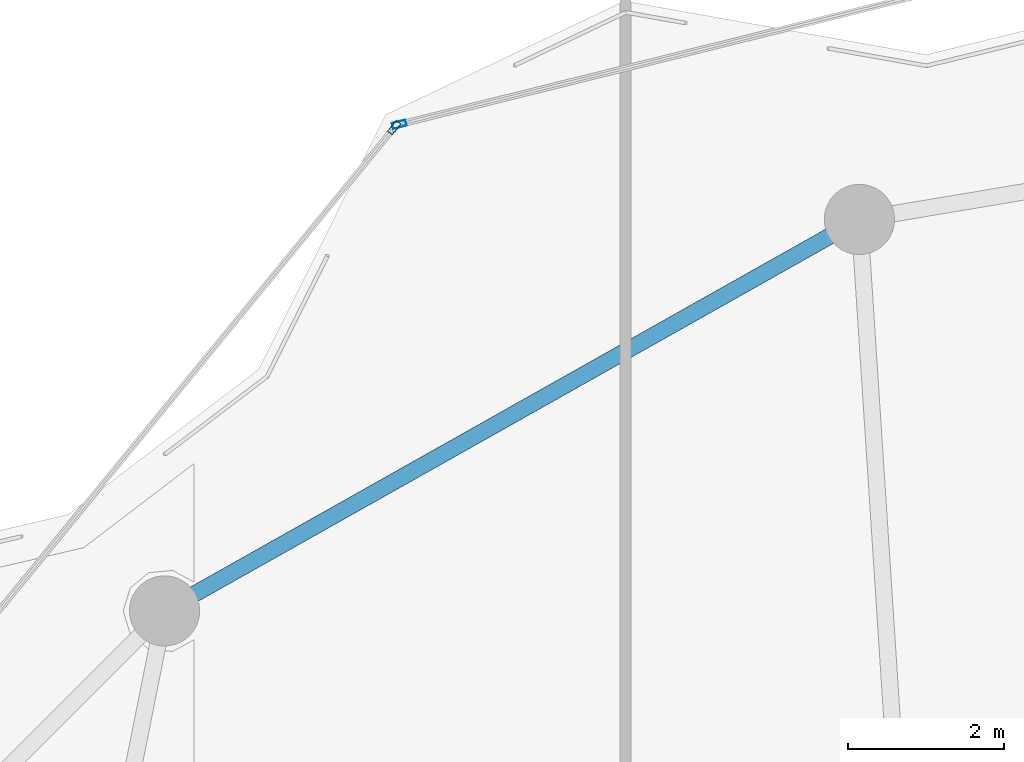
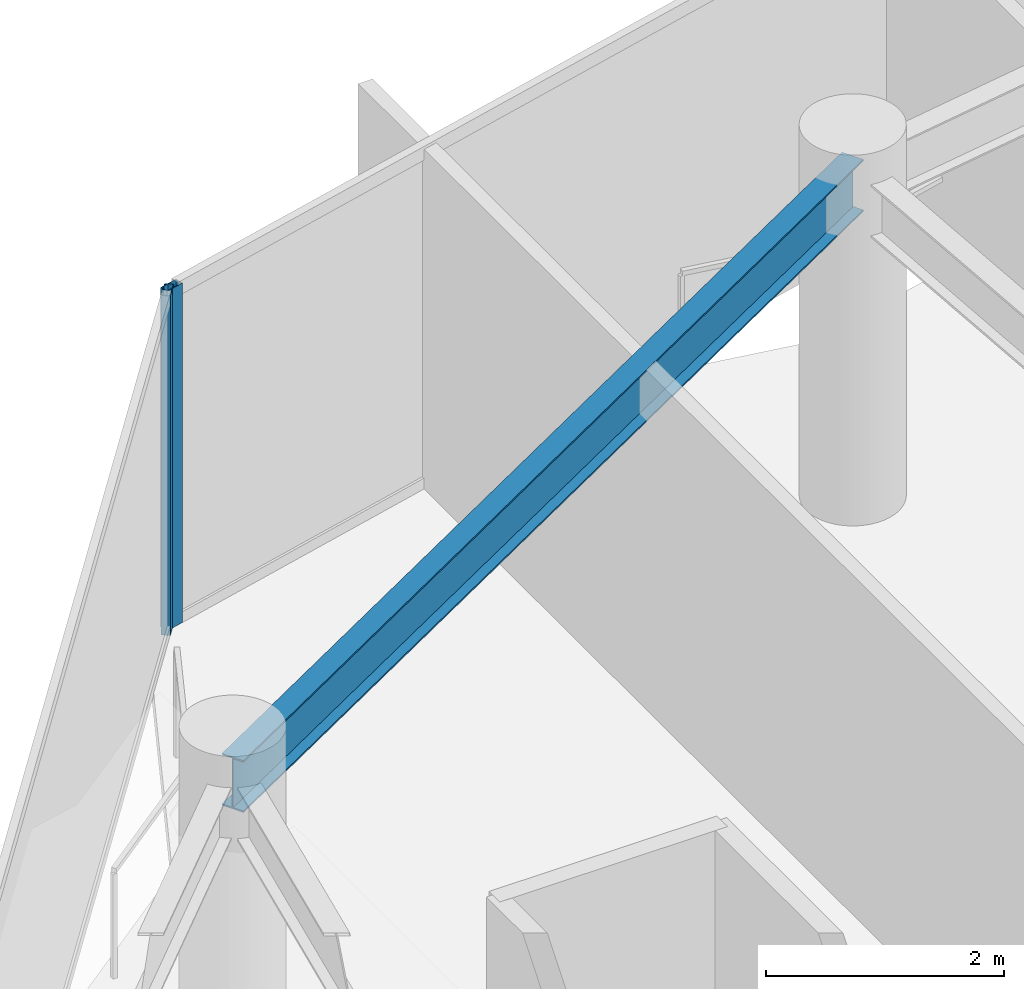
# One storey, part 19 of 29: 2 members, 1 beam, 2 elements without a shape of their own.
"""IFC4 building model written with IfcOpenShell, lengths in metres."""

from ifc_helpers import new_model, si_unit, direction, frame, origin, origin_2d, place, context, subcontext, project, spatial, hollow_rectangle, i_section, extrude, material, layer, layer_set, material_profile, profile_set, type_object, element, aggregate, save


model = new_model("IFC4")

# Units and contexts
model_context = context("Model", 3, precision=1e-05, world=origin(), true_north=direction((0.0, 1.0)))
body_context = subcontext(model_context, "Body", "Model", "MODEL_VIEW")
ifc_project = project(units=[si_unit("LENGTHUNIT", "METRE"), si_unit("AREAUNIT", "SQUARE_METRE"), si_unit("VOLUMEUNIT", "CUBIC_METRE"), si_unit("PLANEANGLEUNIT", "RADIAN"), si_unit("MASSUNIT", "GRAM", prefix="KILO")], contexts=[model_context])

# Site, building, storey
site_placement = place(None, origin())
site = spatial("IfcSite", under=ifc_project, at=site_placement, CompositionType="ELEMENT")
building_placement = place(site_placement, origin())
building = spatial("IfcBuilding", under=site, at=building_placement, Name="Kazevale Care Tower and Concert Hall", CompositionType="ELEMENT")
storey_placement = place(building_placement, frame((0.0, 0.0, 289.0)))
storey = spatial("IfcBuildingStorey", under=building, at=storey_placement, Name="L76", CompositionType="ELEMENT", Elevation=289.0)

# Curtain wall, member
ifc_material_1 = material(Name="Aluminium 6063-T6 and Low-E Glass", Category="aluminium")
ifc_layer_1 = layer(ifc_material_1, 0.179931640625)
ifc_layer_set_1 = layer_set([ifc_layer_1], Name="Aluminium 6063-T6 and Low-E Glass")
curtain_wall_type_1 = type_object("IfcCurtainWallType", Name="Convex Checkerboard Finned Curtain Wall CW-2", PredefinedType="NOTDEFINED", material=ifc_layer_set_1)
curtain_wall_1_placement = place(storey_placement, origin())
curtain_wall_1 = element("IfcCurtainWall", 1, at=curtain_wall_1_placement, inside=storey, type_object=curtain_wall_type_1, Name="cw:L76:f14", PredefinedType="NOTDEFINED")
ifc_material_2 = material(Name="Aluminium 6063-T6", Category="aluminium")
ifc_material_profile_1 = material_profile(ifc_material_2, hollow_rectangle(XDim=0.080078125, YDim=0.179931640625, WallThickness=0.0048828125, at=origin_2d()), Name="ALU80x180x5")
ifc_profile_set_1 = profile_set([ifc_material_profile_1], Name="Aluminium 6063-T6")
member_type_1 = type_object("IfcMemberType", Name="CW-2 Mullion ALU80x180x5", PredefinedType="MULLION", material=ifc_profile_set_1)
member_1_placement = place(storey_placement, frame((28.53564453125, 60.568115234375, 0.0), z_axis=(0.0, 0.0, 1.0), x_axis=(-0.773802882676, 0.63342647463, 0.0)))
member_1 = element("IfcMember", 2, at=member_1_placement, type_object=member_type_1, Name="CW-2 mullion 2", PredefinedType="MULLION", context=body_context, shape_type="SweptSolid", body=[
    extrude(hollow_rectangle(XDim=0.080078125, YDim=0.179931640625, WallThickness=0.0048828125, at=origin_2d()), origin(), (0.0, 0.0, 1.0), 3.47998046875),
])
aggregate(curtain_wall_1, [member_1])

ifc_layer_2 = layer(ifc_material_1, 0.179931640625)
ifc_layer_set_2 = layer_set([ifc_layer_2], Name="Aluminium 6063-T6 and Low-E Glass")
curtain_wall_type_2 = type_object("IfcCurtainWallType", Name="Waist & Upper Residential Curtain Wall CW-4", PredefinedType="NOTDEFINED", material=ifc_layer_set_2)
curtain_wall_2_placement = place(storey_placement, origin())
curtain_wall_2 = element("IfcCurtainWall", 3, at=curtain_wall_2_placement, inside=storey, type_object=curtain_wall_type_2, Name="cw:L76:f15", PredefinedType="NOTDEFINED")
ifc_material_profile_2 = material_profile(ifc_material_2, hollow_rectangle(XDim=0.080078125, YDim=0.179931640625, WallThickness=0.0048828125, at=origin_2d()), Name="ALU80x180x5")
ifc_profile_set_2 = profile_set([ifc_material_profile_2], Name="Aluminium 6063-T6")
member_type_2 = type_object("IfcMemberType", Name="CW-4 Mullion ALU80x180x5", PredefinedType="MULLION", material=ifc_profile_set_2)
member_2_placement = place(storey_placement, frame((28.599853515625, 60.608642578125, 0.0), z_axis=(0.0, 0.0, 1.0), x_axis=(-0.240891158711, 0.970552136495, 0.0)))
member_2 = element("IfcMember", 4, at=member_2_placement, type_object=member_type_2, Name="CW-4 mullion 1", PredefinedType="MULLION", context=body_context, shape_type="SweptSolid", body=[
    extrude(hollow_rectangle(XDim=0.080078125, YDim=0.179931640625, WallThickness=0.0048828125, at=origin_2d()), origin(), (0.0, 0.0, 1.0), 3.47998046875),
])
aggregate(curtain_wall_2, [member_2])

# Beam
ifc_material_3 = material(Name="Steel ASTM A572 Gr 50", Category="steel")
ifc_material_profile_3 = material_profile(ifc_material_3, i_section(OverallWidth=0.208984375, OverallDepth=0.532958984375, WebThickness=0.01025390625, FlangeThickness=0.015625, at=origin_2d()), Name="W530x92")
ifc_profile_set_3 = profile_set([ifc_material_profile_3], Name="Steel ASTM A572 Gr 50")
beam_type = type_object("IfcBeamType", Name="Upper Ring Beam W530x92", PredefinedType="BEAM", material=ifc_profile_set_3)
beam_placement = place(storey_placement, frame((34.5, 59.389892578125, 3.21337890625), z_axis=(-0.871243170179, -0.490851646035, 0.0), x_axis=(0.490851646035, -0.871243170179, 0.0)))
element("IfcBeam", 5, at=beam_placement, inside=storey, type_object=beam_type, Name="beam:L76:ring:06", PredefinedType="BEAM", context=body_context, shape_type="SweptSolid", body=[
    extrude(i_section(OverallWidth=0.208984375, OverallDepth=0.532958984375, WebThickness=0.01025390625, FlangeThickness=0.015625, at=origin_2d()), origin(), (0.0, 0.0, 1.0), 10.2265625),
])

save(model, "model.ifc")
